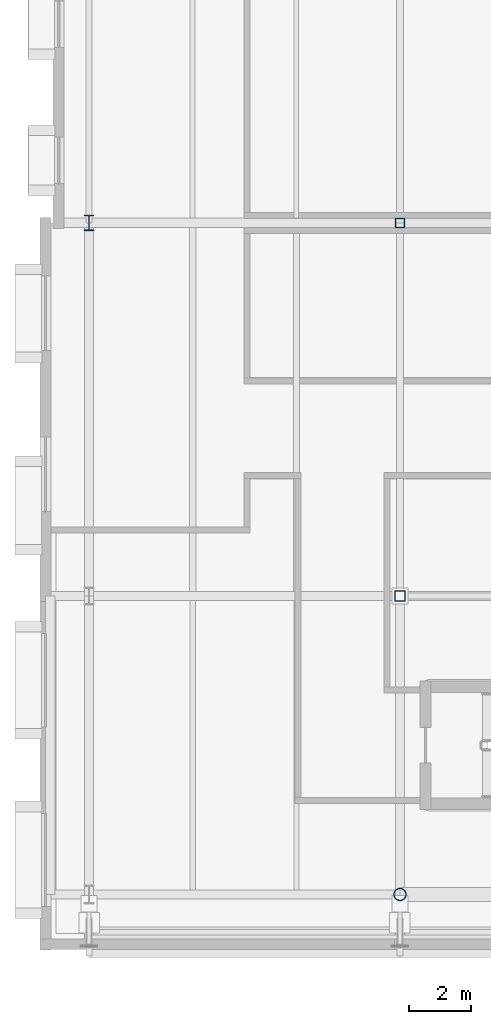
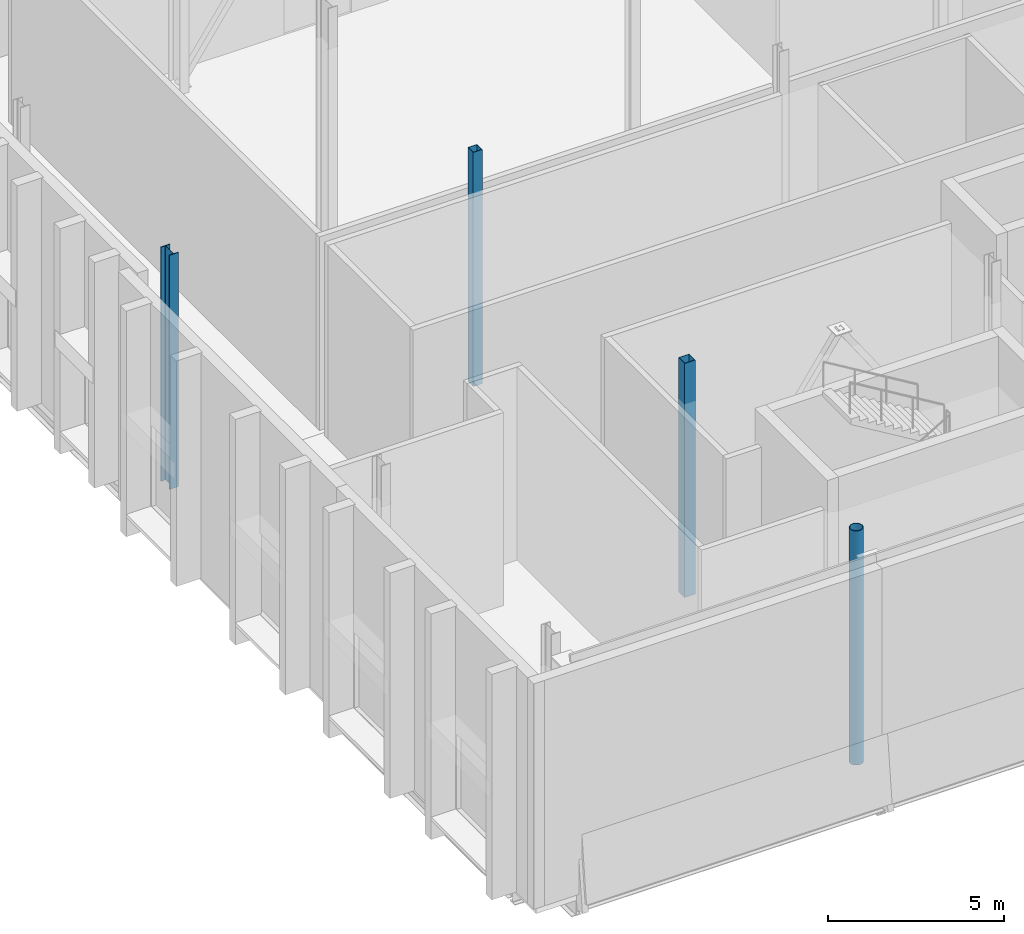
# One storey, part 9 of 79: 4 columns.
"""IFC4 building model written with IfcOpenShell, lengths in metres."""

from ifc_helpers import new_model, si_unit, direction, frame, origin, origin_2d, place, context, subcontext, project, spatial, hollow_rectangle, hollow_circle, i_section, extrude, material, material_profile, profile_set, type_object, element, save


model = new_model("IFC4")

# Units and contexts
model_context = context("Model", 3, precision=1e-05, world=origin(), true_north=direction((0.0, 1.0)))
body_context = subcontext(model_context, "Body", "Model", "MODEL_VIEW")
ifc_project = project(units=[si_unit("LENGTHUNIT", "METRE"), si_unit("AREAUNIT", "SQUARE_METRE"), si_unit("VOLUMEUNIT", "CUBIC_METRE"), si_unit("PLANEANGLEUNIT", "RADIAN"), si_unit("MASSUNIT", "GRAM", prefix="KILO")], contexts=[model_context])

# Site, building, storey
site_placement = place(None, origin())
site = spatial("IfcSite", under=ifc_project, at=site_placement, CompositionType="ELEMENT")
building_placement = place(site_placement, origin())
building = spatial("IfcBuilding", under=site, at=building_placement, Name="Zereglee Splitstone Museum", CompositionType="ELEMENT")
storey_placement = place(building_placement, frame((0.0, 0.0, 9.0)))
storey = spatial("IfcBuildingStorey", under=building, at=storey_placement, Name="L02", CompositionType="ELEMENT", Elevation=9.0)

# Columns
ifc_material_1 = material(Name="Steel S355J2H", Category="steel")
ifc_material_profile_1 = material_profile(ifc_material_1, hollow_circle(Radius=0.203125, WallThickness=0.02001953125, at=origin_2d()), Name="CHS 406.4x20")
ifc_profile_set_1 = profile_set([ifc_material_profile_1], Name="Steel S355J2H")
column_type_1 = type_object("IfcColumnType", Name="C-18", PredefinedType="COLUMN", material=ifc_profile_set_1)
column_1_placement = place(storey_placement, frame((185.199951171875, 0.0, 0.0), z_axis=(0.0, 0.0, 1.0), x_axis=(1.0, 0.0, 0.0)))
element("IfcColumn", 1, at=column_1_placement, inside=storey, type_object=column_type_1, Name="Column 21/A L02", PredefinedType="COLUMN", context=body_context, shape_type="SweptSolid", body=[
    extrude(hollow_circle(Radius=0.203125, WallThickness=0.02001953125, at=origin_2d()), origin(), (0.0, 0.0, 1.0), 8.10009765625),
])
ifc_material_2 = material(Name="Steel S355J2", Category="steel")
ifc_material_profile_2 = material_profile(ifc_material_2, i_section(OverallWidth=0.300048828125, OverallDepth=0.5, WebThickness=0.014404296875, FlangeThickness=0.028076171875, FilletRadius=0.027099609375, at=origin_2d()), Name="HE 500 B")
ifc_profile_set_2 = profile_set([ifc_material_profile_2], Name="Steel S355J2")
column_type_2 = type_object("IfcColumnType", Name="C-13", PredefinedType="COLUMN", material=ifc_profile_set_2)
column_2_placement = place(storey_placement, frame((175.199951171875, 21.60009765625, 0.0), z_axis=(0.0, 0.0, 1.0), x_axis=(1.0, 0.0, 0.0)))
element("IfcColumn", 2, at=column_2_placement, inside=storey, type_object=column_type_2, Name="Column 20/C L02", PredefinedType="COLUMN", context=body_context, shape_type="SweptSolid", body=[
    extrude(i_section(OverallWidth=0.300048828125, OverallDepth=0.5, WebThickness=0.014404296875, FlangeThickness=0.028076171875, FilletRadius=0.027099609375, at=origin_2d()), origin(), (0.0, 0.0, 1.0), 8.10009765625),
])
ifc_material_profile_3 = material_profile(ifc_material_1, hollow_rectangle(XDim=0.300048828125, YDim=0.300048828125, WallThickness=0.01611328125, at=origin_2d()), Name="SHS 300x300x16")
ifc_profile_set_3 = profile_set([ifc_material_profile_3], Name="Steel S355J2H")
column_type_3 = type_object("IfcColumnType", Name="C-20", PredefinedType="COLUMN", material=ifc_profile_set_3)
column_3_placement = place(storey_placement, frame((185.199951171875, 21.60009765625, 0.0), z_axis=(0.0, 0.0, 1.0), x_axis=(1.0, 0.0, 0.0)))
element("IfcColumn", 3, at=column_3_placement, inside=storey, type_object=column_type_3, Name="Column 21/C L02", PredefinedType="COLUMN", context=body_context, shape_type="SweptSolid", body=[
    extrude(hollow_rectangle(XDim=0.300048828125, YDim=0.300048828125, WallThickness=0.01611328125, at=origin_2d()), origin(), (0.0, 0.0, 1.0), 8.10009765625),
])
ifc_material_profile_4 = material_profile(ifc_material_1, hollow_rectangle(XDim=0.35009765625, YDim=0.35009765625, WallThickness=0.01611328125, at=origin_2d()), Name="SHS 350x350x16")
ifc_profile_set_4 = profile_set([ifc_material_profile_4], Name="Steel S355J2H")
column_type_4 = type_object("IfcColumnType", Name="C-19", PredefinedType="COLUMN", material=ifc_profile_set_4)
column_4_placement = place(storey_placement, frame((185.199951171875, 9.60009765625, 0.0), z_axis=(0.0, 0.0, 1.0), x_axis=(1.0, 0.0, 0.0)))
element("IfcColumn", 4, at=column_4_placement, inside=storey, type_object=column_type_4, Name="Column 21/B L02", PredefinedType="COLUMN", context=body_context, shape_type="SweptSolid", body=[
    extrude(hollow_rectangle(XDim=0.35009765625, YDim=0.35009765625, WallThickness=0.01611328125, at=origin_2d()), origin(), (0.0, 0.0, 1.0), 8.10009765625),
])

save(model, "model.ifc")
